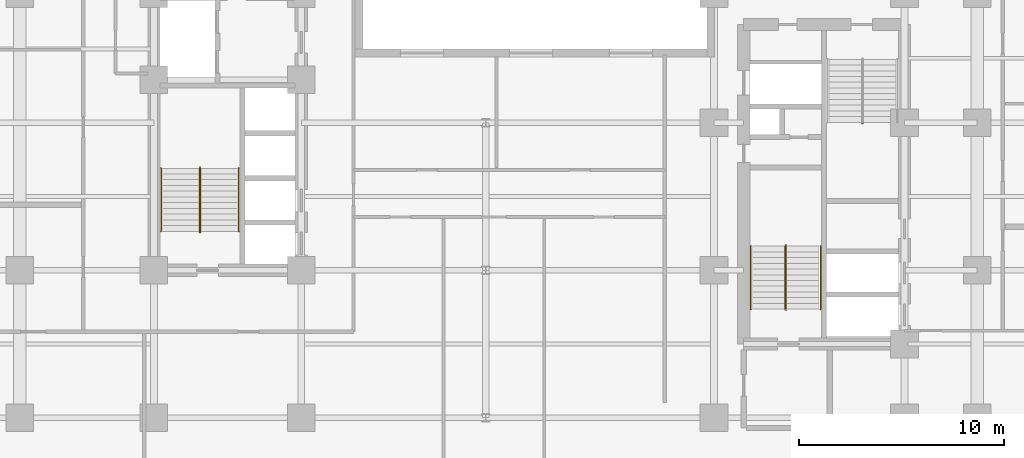
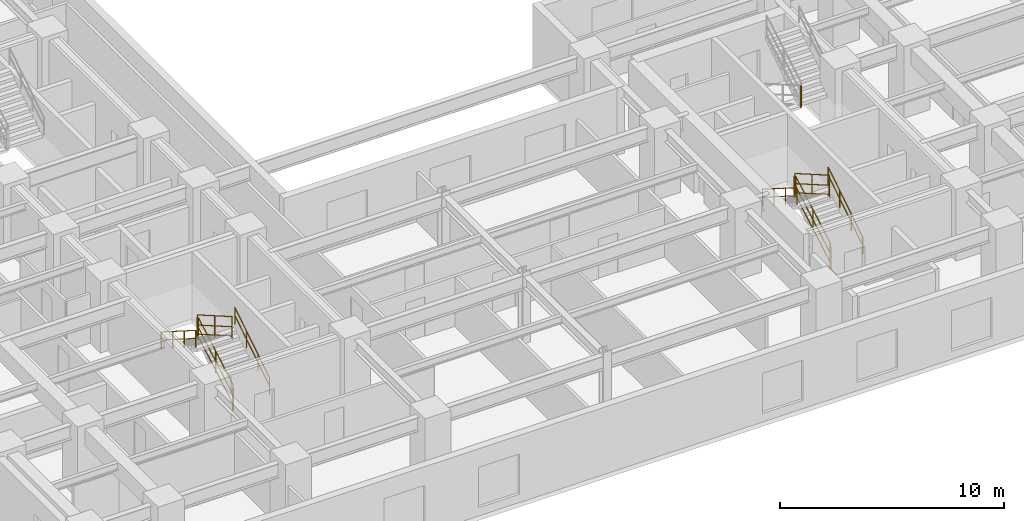
# One storey, part 7 of 9: 13 railings.
"""IFC4 building model written with IfcOpenShell, lengths in metres."""

from ifc_helpers import new_model, entity, si_unit, converted_unit, direction, frame, origin_with_axes, origin_2d_with_axis, place, context, subcontext, project, spatial, rectangle, circle, extrude, material, type_object, element, save


model = new_model("IFC4")

# Units and contexts
model_context = context("Model", 3, precision=1e-05, world=origin_with_axes(), true_north=direction((0.0, 1.0)))
body_context = subcontext(model_context, "Body", "Model", "MODEL_VIEW")
ifc_project = project(units=[si_unit("LENGTHUNIT", "METRE"), si_unit("AREAUNIT", "SQUARE_METRE"), si_unit("VOLUMEUNIT", "CUBIC_METRE"), converted_unit("PLANEANGLEUNIT", "DEGREE", entity("IfcPlaneAngleMeasure", 0.017453292519943295), si_unit("PLANEANGLEUNIT", "RADIAN"), dimensions=[0, 0, 0, 0, 0, 0, 0]), si_unit("MASSUNIT", "GRAM", prefix="KILO"), si_unit("THERMODYNAMICTEMPERATUREUNIT", "KELVIN")], contexts=[model_context])

# Site, building, storey
site_placement = place(None, origin_with_axes())
site = spatial("IfcSite", under=ifc_project, at=site_placement, CompositionType="ELEMENT")
building_placement = place(site_placement, origin_with_axes())
building = spatial("IfcBuilding", under=site, at=building_placement, Name="Varnlund Millrace Tower", CompositionType="ELEMENT")
storey_placement = place(building_placement, frame((0.0, 0.0, 56.1), z_axis=(0.0, 0.0, 1.0), x_axis=(1.0, 0.0, 0.0)))
storey = spatial("IfcBuildingStorey", under=building, at=storey_placement, Name="L13", CompositionType="ELEMENT", Elevation=56.1)

# Railings
ifc_material_1 = material(Name="Painted steel stair well balustrade guard", Category="steel")
railing_type_1 = type_object("IfcRailingType", Name="Type-StairGuard-1150", PredefinedType="GUARDRAIL", material=ifc_material_1)
railing_1_placement = place(storey_placement, frame((0.0, 0.0, -56.1), z_axis=(0.0, 0.0, 1.0), x_axis=(1.0, 0.0, 0.0)))
element("IfcRailing", 1, at=railing_1_placement, inside=storey, type_object=railing_type_1, Name="Type-StairGuard-1150", PredefinedType="GUARDRAIL", context=body_context, shape_type="SweptSolid", body=[
    extrude(circle(Radius=0.024, at=origin_2d_with_axis()), frame((13.675, 12.7, 57.427273), z_axis=(0.0, 0.866696, 0.498836), x_axis=(-1.0, 0.0, 0.0)), (0.0, 0.0, 1.0), 3.553725),
    extrude(circle(Radius=0.024, at=origin_2d_with_axis()), frame((13.675, 12.7, 56.377273), z_axis=(0.0, 0.866696, 0.498836), x_axis=(-1.0, 0.0, 0.0)), (0.0, 0.0, 1.0), 3.553725),
    extrude(circle(Radius=0.024, at=origin_2d_with_axis()), frame((13.675, 12.7, 56.875273), z_axis=(0.0, 0.866696, 0.498836), x_axis=(-1.0, 0.0, 0.0)), (0.0, 0.0, 1.0), 3.553725),
    extrude(rectangle(XDim=0.04, YDim=0.04, at=origin_2d_with_axis()), frame((13.675, 12.7, 56.237273), z_axis=(0.0, 0.0, 1.0), x_axis=(1.0, 0.0, 0.0)), (0.0, 0.0, 1.0), 1.19),
    extrude(rectangle(XDim=0.04, YDim=0.04, at=origin_2d_with_axis()), frame((13.675, 14.24, 57.123636), z_axis=(0.0, 0.0, 1.0), x_axis=(1.0, 0.0, 0.0)), (0.0, 0.0, 1.0), 1.19),
    extrude(rectangle(XDim=0.04, YDim=0.04, at=origin_2d_with_axis()), frame((13.675, 15.78, 58.01), z_axis=(0.0, 0.0, 1.0), x_axis=(1.0, 0.0, 0.0)), (0.0, 0.0, 1.0), 1.19),
])
railing_2_placement = place(storey_placement, frame((0.0, 0.0, -56.1), z_axis=(0.0, 0.0, 1.0), x_axis=(1.0, 0.0, 0.0)))
element("IfcRailing", 2, at=railing_2_placement, inside=storey, type_object=railing_type_1, Name="Type-StairGuard-1150", PredefinedType="GUARDRAIL", context=body_context, shape_type="SweptSolid", body=[
    extrude(circle(Radius=0.024, at=origin_2d_with_axis()), frame((13.625, 15.83, 59.2), z_axis=(1.0, 0.0, 0.0), x_axis=(0.0, 1.0, 0.0)), (0.0, 0.0, 1.0), 0.05),
    extrude(circle(Radius=0.024, at=origin_2d_with_axis()), frame((13.625, 15.83, 58.15), z_axis=(1.0, 0.0, 0.0), x_axis=(0.0, 1.0, 0.0)), (0.0, 0.0, 1.0), 0.05),
    extrude(circle(Radius=0.024, at=origin_2d_with_axis()), frame((13.625, 15.83, 58.648), z_axis=(1.0, 0.0, 0.0), x_axis=(0.0, 1.0, 0.0)), (0.0, 0.0, 1.0), 0.05),
    extrude(rectangle(XDim=0.04, YDim=0.04, at=origin_2d_with_axis()), frame((13.625, 15.83, 58.01), z_axis=(0.0, 0.0, 1.0), x_axis=(1.0, 0.0, 0.0)), (0.0, 0.0, 1.0), 1.19),
    extrude(rectangle(XDim=0.04, YDim=0.04, at=origin_2d_with_axis()), frame((13.675, 15.83, 58.01), z_axis=(0.0, 0.0, 1.0), x_axis=(1.0, 0.0, 0.0)), (0.0, 0.0, 1.0), 1.19),
])
railing_3_placement = place(storey_placement, frame((0.0, 0.0, -56.1), z_axis=(0.0, 0.0, 1.0), x_axis=(1.0, 0.0, 0.0)))
element("IfcRailing", 3, at=railing_3_placement, inside=storey, type_object=railing_type_1, Name="Type-StairGuard-1150", PredefinedType="GUARDRAIL", context=body_context, shape_type="SweptSolid", body=[
    extrude(circle(Radius=0.024, at=origin_2d_with_axis()), frame((13.625, 15.78, 59.377273), z_axis=(0.0, -0.866696, 0.498836), x_axis=(1.0, 0.0, 0.0)), (0.0, 0.0, 1.0), 3.553725),
    extrude(circle(Radius=0.024, at=origin_2d_with_axis()), frame((13.625, 15.78, 58.327273), z_axis=(0.0, -0.866696, 0.498836), x_axis=(1.0, 0.0, 0.0)), (0.0, 0.0, 1.0), 3.553725),
    extrude(circle(Radius=0.024, at=origin_2d_with_axis()), frame((13.625, 15.78, 58.825273), z_axis=(0.0, -0.866696, 0.498836), x_axis=(1.0, 0.0, 0.0)), (0.0, 0.0, 1.0), 3.553725),
    extrude(rectangle(XDim=0.04, YDim=0.04, at=origin_2d_with_axis()), frame((13.625, 15.78, 58.187273), z_axis=(0.0, 0.0, 1.0), x_axis=(1.0, 0.0, 0.0)), (0.0, 0.0, 1.0), 1.19),
    extrude(rectangle(XDim=0.04, YDim=0.04, at=origin_2d_with_axis()), frame((13.625, 14.24, 59.073636), z_axis=(0.0, 0.0, 1.0), x_axis=(1.0, 0.0, 0.0)), (0.0, 0.0, 1.0), 1.19),
    extrude(rectangle(XDim=0.04, YDim=0.04, at=origin_2d_with_axis()), frame((13.625, 12.7, 59.96), z_axis=(0.0, 0.0, 1.0), x_axis=(1.0, 0.0, 0.0)), (0.0, 0.0, 1.0), 1.19),
])
railing_4_placement = place(storey_placement, frame((0.0, 0.0, -56.1), z_axis=(0.0, 0.0, 1.0), x_axis=(1.0, 0.0, 0.0)))
element("IfcRailing", 4, at=railing_4_placement, inside=storey, type_object=railing_type_1, Name="Type-StairGuard-1150", PredefinedType="GUARDRAIL", context=body_context, shape_type="SweptSolid", body=[
    extrude(circle(Radius=0.024, at=origin_2d_with_axis()), frame((13.625, 12.65, 57.25), z_axis=(1.0, 0.0, 0.0), x_axis=(0.0, 1.0, 0.0)), (0.0, 0.0, 1.0), 0.05),
    extrude(circle(Radius=0.024, at=origin_2d_with_axis()), frame((13.625, 12.65, 56.2), z_axis=(1.0, 0.0, 0.0), x_axis=(0.0, 1.0, 0.0)), (0.0, 0.0, 1.0), 0.05),
    extrude(circle(Radius=0.024, at=origin_2d_with_axis()), frame((13.625, 12.65, 56.698), z_axis=(1.0, 0.0, 0.0), x_axis=(0.0, 1.0, 0.0)), (0.0, 0.0, 1.0), 0.05),
    extrude(rectangle(XDim=0.04, YDim=0.04, at=origin_2d_with_axis()), frame((13.625, 12.65, 56.06), z_axis=(0.0, 0.0, 1.0), x_axis=(1.0, 0.0, 0.0)), (0.0, 0.0, 1.0), 1.19),
    extrude(rectangle(XDim=0.04, YDim=0.04, at=origin_2d_with_axis()), frame((13.675, 12.65, 56.06), z_axis=(0.0, 0.0, 1.0), x_axis=(1.0, 0.0, 0.0)), (0.0, 0.0, 1.0), 1.19),
])
railing_5_placement = place(storey_placement, frame((0.0, 0.0, -56.1), z_axis=(0.0, 0.0, 1.0), x_axis=(1.0, 0.0, 0.0)))
element("IfcRailing", 5, at=railing_5_placement, inside=storey, type_object=railing_type_1, Name="Type-StairGuard-1150", PredefinedType="GUARDRAIL", context=body_context, shape_type="SweptSolid", body=[
    extrude(circle(Radius=0.024, at=origin_2d_with_axis()), frame((42.275, 8.9, 57.427273), z_axis=(0.0, 0.866696, 0.498836), x_axis=(-1.0, 0.0, 0.0)), (0.0, 0.0, 1.0), 3.553725),
    extrude(circle(Radius=0.024, at=origin_2d_with_axis()), frame((42.275, 8.9, 56.377273), z_axis=(0.0, 0.866696, 0.498836), x_axis=(-1.0, 0.0, 0.0)), (0.0, 0.0, 1.0), 3.553725),
    extrude(circle(Radius=0.024, at=origin_2d_with_axis()), frame((42.275, 8.9, 56.875273), z_axis=(0.0, 0.866696, 0.498836), x_axis=(-1.0, 0.0, 0.0)), (0.0, 0.0, 1.0), 3.553725),
    extrude(rectangle(XDim=0.04, YDim=0.04, at=origin_2d_with_axis()), frame((42.275, 8.9, 56.237273), z_axis=(0.0, 0.0, 1.0), x_axis=(1.0, 0.0, 0.0)), (0.0, 0.0, 1.0), 1.19),
    extrude(rectangle(XDim=0.04, YDim=0.04, at=origin_2d_with_axis()), frame((42.275, 10.44, 57.123636), z_axis=(0.0, 0.0, 1.0), x_axis=(1.0, 0.0, 0.0)), (0.0, 0.0, 1.0), 1.19),
    extrude(rectangle(XDim=0.04, YDim=0.04, at=origin_2d_with_axis()), frame((42.275, 11.98, 58.01), z_axis=(0.0, 0.0, 1.0), x_axis=(1.0, 0.0, 0.0)), (0.0, 0.0, 1.0), 1.19),
])
railing_6_placement = place(storey_placement, frame((0.0, 0.0, -56.1), z_axis=(0.0, 0.0, 1.0), x_axis=(1.0, 0.0, 0.0)))
element("IfcRailing", 6, at=railing_6_placement, inside=storey, type_object=railing_type_1, Name="Type-StairGuard-1150", PredefinedType="GUARDRAIL", context=body_context, shape_type="SweptSolid", body=[
    extrude(circle(Radius=0.024, at=origin_2d_with_axis()), frame((42.225, 12.03, 59.2), z_axis=(1.0, 0.0, 0.0), x_axis=(0.0, 1.0, 0.0)), (0.0, 0.0, 1.0), 0.05),
    extrude(circle(Radius=0.024, at=origin_2d_with_axis()), frame((42.225, 12.03, 58.15), z_axis=(1.0, 0.0, 0.0), x_axis=(0.0, 1.0, 0.0)), (0.0, 0.0, 1.0), 0.05),
    extrude(circle(Radius=0.024, at=origin_2d_with_axis()), frame((42.225, 12.03, 58.648), z_axis=(1.0, 0.0, 0.0), x_axis=(0.0, 1.0, 0.0)), (0.0, 0.0, 1.0), 0.05),
    extrude(rectangle(XDim=0.04, YDim=0.04, at=origin_2d_with_axis()), frame((42.225, 12.03, 58.01), z_axis=(0.0, 0.0, 1.0), x_axis=(1.0, 0.0, 0.0)), (0.0, 0.0, 1.0), 1.19),
    extrude(rectangle(XDim=0.04, YDim=0.04, at=origin_2d_with_axis()), frame((42.275, 12.03, 58.01), z_axis=(0.0, 0.0, 1.0), x_axis=(1.0, 0.0, 0.0)), (0.0, 0.0, 1.0), 1.19),
])
railing_7_placement = place(storey_placement, frame((0.0, 0.0, -56.1), z_axis=(0.0, 0.0, 1.0), x_axis=(1.0, 0.0, 0.0)))
element("IfcRailing", 7, at=railing_7_placement, inside=storey, type_object=railing_type_1, Name="Type-StairGuard-1150", PredefinedType="GUARDRAIL", context=body_context, shape_type="SweptSolid", body=[
    extrude(circle(Radius=0.024, at=origin_2d_with_axis()), frame((42.225, 11.98, 59.377273), z_axis=(0.0, -0.866696, 0.498836), x_axis=(1.0, 0.0, 0.0)), (0.0, 0.0, 1.0), 3.553725),
    extrude(circle(Radius=0.024, at=origin_2d_with_axis()), frame((42.225, 11.98, 58.327273), z_axis=(0.0, -0.866696, 0.498836), x_axis=(1.0, 0.0, 0.0)), (0.0, 0.0, 1.0), 3.553725),
    extrude(circle(Radius=0.024, at=origin_2d_with_axis()), frame((42.225, 11.98, 58.825273), z_axis=(0.0, -0.866696, 0.498836), x_axis=(1.0, 0.0, 0.0)), (0.0, 0.0, 1.0), 3.553725),
    extrude(rectangle(XDim=0.04, YDim=0.04, at=origin_2d_with_axis()), frame((42.225, 11.98, 58.187273), z_axis=(0.0, 0.0, 1.0), x_axis=(1.0, 0.0, 0.0)), (0.0, 0.0, 1.0), 1.19),
    extrude(rectangle(XDim=0.04, YDim=0.04, at=origin_2d_with_axis()), frame((42.225, 10.44, 59.073636), z_axis=(0.0, 0.0, 1.0), x_axis=(1.0, 0.0, 0.0)), (0.0, 0.0, 1.0), 1.19),
    extrude(rectangle(XDim=0.04, YDim=0.04, at=origin_2d_with_axis()), frame((42.225, 8.9, 59.96), z_axis=(0.0, 0.0, 1.0), x_axis=(1.0, 0.0, 0.0)), (0.0, 0.0, 1.0), 1.19),
])
railing_8_placement = place(storey_placement, frame((0.0, 0.0, -56.1), z_axis=(0.0, 0.0, 1.0), x_axis=(1.0, 0.0, 0.0)))
element("IfcRailing", 8, at=railing_8_placement, inside=storey, type_object=railing_type_1, Name="Type-StairGuard-1150", PredefinedType="GUARDRAIL", context=body_context, shape_type="SweptSolid", body=[
    extrude(circle(Radius=0.024, at=origin_2d_with_axis()), frame((42.225, 8.85, 57.25), z_axis=(1.0, 0.0, 0.0), x_axis=(0.0, 1.0, 0.0)), (0.0, 0.0, 1.0), 0.05),
    extrude(circle(Radius=0.024, at=origin_2d_with_axis()), frame((42.225, 8.85, 56.2), z_axis=(1.0, 0.0, 0.0), x_axis=(0.0, 1.0, 0.0)), (0.0, 0.0, 1.0), 0.05),
    extrude(circle(Radius=0.024, at=origin_2d_with_axis()), frame((42.225, 8.85, 56.698), z_axis=(1.0, 0.0, 0.0), x_axis=(0.0, 1.0, 0.0)), (0.0, 0.0, 1.0), 0.05),
    extrude(rectangle(XDim=0.04, YDim=0.04, at=origin_2d_with_axis()), frame((42.225, 8.85, 56.06), z_axis=(0.0, 0.0, 1.0), x_axis=(1.0, 0.0, 0.0)), (0.0, 0.0, 1.0), 1.19),
    extrude(rectangle(XDim=0.04, YDim=0.04, at=origin_2d_with_axis()), frame((42.275, 8.85, 56.06), z_axis=(0.0, 0.0, 1.0), x_axis=(1.0, 0.0, 0.0)), (0.0, 0.0, 1.0), 1.19),
])
railing_9_placement = place(storey_placement, frame((0.0, 0.0, -56.1), z_axis=(0.0, 0.0, 1.0), x_axis=(1.0, 0.0, 0.0)))
element("IfcRailing", 9, at=railing_9_placement, inside=storey, type_object=railing_type_1, Name="Type-StairGuard-1150", PredefinedType="GUARDRAIL", context=body_context, shape_type="SweptSolid", body=[
    extrude(circle(Radius=0.024, at=origin_2d_with_axis()), frame((46.025, 17.97, 59.2), z_axis=(-1.0, 0.0, 0.0), x_axis=(0.0, -1.0, 0.0)), (0.0, 0.0, 1.0), 0.05),
    extrude(circle(Radius=0.024, at=origin_2d_with_axis()), frame((46.025, 17.97, 58.15), z_axis=(-1.0, 0.0, 0.0), x_axis=(0.0, -1.0, 0.0)), (0.0, 0.0, 1.0), 0.05),
    extrude(circle(Radius=0.024, at=origin_2d_with_axis()), frame((46.025, 17.97, 58.648), z_axis=(-1.0, 0.0, 0.0), x_axis=(0.0, -1.0, 0.0)), (0.0, 0.0, 1.0), 0.05),
    extrude(rectangle(XDim=0.04, YDim=0.04, at=origin_2d_with_axis()), frame((46.025, 17.97, 58.01), z_axis=(0.0, 0.0, 1.0), x_axis=(1.0, 0.0, 0.0)), (0.0, 0.0, 1.0), 1.19),
    extrude(rectangle(XDim=0.04, YDim=0.04, at=origin_2d_with_axis()), frame((45.975, 17.97, 58.01), z_axis=(0.0, 0.0, 1.0), x_axis=(1.0, 0.0, 0.0)), (0.0, 0.0, 1.0), 1.19),
])
ifc_material_2 = material(Name="Brushed architectural bronze stair handrail", Category="aluminium")
railing_type_2 = type_object("IfcRailingType", Name="Type-StairHandrail-900", PredefinedType="HANDRAIL", material=ifc_material_2)
railing_10_placement = place(storey_placement, frame((0.0, 0.0, -56.1), z_axis=(0.0, 0.0, 1.0), x_axis=(1.0, 0.0, 0.0)))
element("IfcRailing", 10, at=railing_10_placement, inside=storey, type_object=railing_type_2, Name="Type-StairHandrail-900", PredefinedType="HANDRAIL", context=body_context, shape_type="SweptSolid", body=[
    extrude(circle(Radius=0.024, at=origin_2d_with_axis()), frame((15.55, 12.7, 57.156995), z_axis=(0.0, 0.844902, 0.534922), x_axis=(-1.0, 0.0, 0.0)), (0.0, 0.0, 1.0), 3.645394),
    extrude(circle(Radius=0.024, at=origin_2d_with_axis()), frame((15.55, 12.7, 56.717134), z_axis=(0.0, 0.844902, 0.534922), x_axis=(-1.0, 0.0, 0.0)), (0.0, 0.0, 1.0), 3.645394),
    extrude(rectangle(XDim=0.04, YDim=0.04, at=origin_2d_with_axis()), frame((15.55, 12.7, 56.237273), z_axis=(0.0, 0.0, 1.0), x_axis=(1.0, 0.0, 0.0)), (0.0, 0.0, 1.0), 0.919722),
    extrude(rectangle(XDim=0.04, YDim=0.04, at=origin_2d_with_axis()), frame((15.55, 13.726667, 56.887273), z_axis=(0.0, 0.0, 1.0), x_axis=(1.0, 0.0, 0.0)), (0.0, 0.0, 1.0), 0.919722),
    extrude(rectangle(XDim=0.04, YDim=0.04, at=origin_2d_with_axis()), frame((15.55, 14.753333, 57.537273), z_axis=(0.0, 0.0, 1.0), x_axis=(1.0, 0.0, 0.0)), (0.0, 0.0, 1.0), 0.919722),
    extrude(rectangle(XDim=0.04, YDim=0.04, at=origin_2d_with_axis()), frame((15.55, 15.78, 58.187273), z_axis=(0.0, 0.0, 1.0), x_axis=(1.0, 0.0, 0.0)), (0.0, 0.0, 1.0), 0.919722),
])
railing_11_placement = place(storey_placement, frame((0.0, 0.0, -56.1), z_axis=(0.0, 0.0, 1.0), x_axis=(1.0, 0.0, 0.0)))
element("IfcRailing", 11, at=railing_11_placement, inside=storey, type_object=railing_type_2, Name="Type-StairHandrail-900", PredefinedType="HANDRAIL", context=body_context, shape_type="SweptSolid", body=[
    extrude(circle(Radius=0.024, at=origin_2d_with_axis()), frame((11.75, 15.78, 59.106995), z_axis=(0.0, -0.844902, 0.534922), x_axis=(1.0, 0.0, 0.0)), (0.0, 0.0, 1.0), 3.645394),
    extrude(circle(Radius=0.024, at=origin_2d_with_axis()), frame((11.75, 15.78, 58.667134), z_axis=(0.0, -0.844902, 0.534922), x_axis=(1.0, 0.0, 0.0)), (0.0, 0.0, 1.0), 3.645394),
    extrude(rectangle(XDim=0.04, YDim=0.04, at=origin_2d_with_axis()), frame((11.75, 15.78, 58.187273), z_axis=(0.0, 0.0, 1.0), x_axis=(1.0, 0.0, 0.0)), (0.0, 0.0, 1.0), 0.919722),
    extrude(rectangle(XDim=0.04, YDim=0.04, at=origin_2d_with_axis()), frame((11.75, 14.753333, 58.837273), z_axis=(0.0, 0.0, 1.0), x_axis=(1.0, 0.0, 0.0)), (0.0, 0.0, 1.0), 0.919722),
    extrude(rectangle(XDim=0.04, YDim=0.04, at=origin_2d_with_axis()), frame((11.75, 13.726667, 59.487273), z_axis=(0.0, 0.0, 1.0), x_axis=(1.0, 0.0, 0.0)), (0.0, 0.0, 1.0), 0.919722),
    extrude(rectangle(XDim=0.04, YDim=0.04, at=origin_2d_with_axis()), frame((11.75, 12.7, 60.137273), z_axis=(0.0, 0.0, 1.0), x_axis=(1.0, 0.0, 0.0)), (0.0, 0.0, 1.0), 0.919722),
])
railing_12_placement = place(storey_placement, frame((0.0, 0.0, -56.1), z_axis=(0.0, 0.0, 1.0), x_axis=(1.0, 0.0, 0.0)))
element("IfcRailing", 12, at=railing_12_placement, inside=storey, type_object=railing_type_2, Name="Type-StairHandrail-900", PredefinedType="HANDRAIL", context=body_context, shape_type="SweptSolid", body=[
    extrude(circle(Radius=0.024, at=origin_2d_with_axis()), frame((43.95, 8.9, 57.156995), z_axis=(0.0, 0.844902, 0.534922), x_axis=(-1.0, 0.0, 0.0)), (0.0, 0.0, 1.0), 3.645394),
    extrude(circle(Radius=0.024, at=origin_2d_with_axis()), frame((43.95, 8.9, 56.717134), z_axis=(0.0, 0.844902, 0.534922), x_axis=(-1.0, 0.0, 0.0)), (0.0, 0.0, 1.0), 3.645394),
    extrude(rectangle(XDim=0.04, YDim=0.04, at=origin_2d_with_axis()), frame((43.95, 8.9, 56.237273), z_axis=(0.0, 0.0, 1.0), x_axis=(1.0, 0.0, 0.0)), (0.0, 0.0, 1.0), 0.919722),
    extrude(rectangle(XDim=0.04, YDim=0.04, at=origin_2d_with_axis()), frame((43.95, 9.926667, 56.887273), z_axis=(0.0, 0.0, 1.0), x_axis=(1.0, 0.0, 0.0)), (0.0, 0.0, 1.0), 0.919722),
    extrude(rectangle(XDim=0.04, YDim=0.04, at=origin_2d_with_axis()), frame((43.95, 10.953333, 57.537273), z_axis=(0.0, 0.0, 1.0), x_axis=(1.0, 0.0, 0.0)), (0.0, 0.0, 1.0), 0.919722),
    extrude(rectangle(XDim=0.04, YDim=0.04, at=origin_2d_with_axis()), frame((43.95, 11.98, 58.187273), z_axis=(0.0, 0.0, 1.0), x_axis=(1.0, 0.0, 0.0)), (0.0, 0.0, 1.0), 0.919722),
])
railing_13_placement = place(storey_placement, frame((0.0, 0.0, -56.1), z_axis=(0.0, 0.0, 1.0), x_axis=(1.0, 0.0, 0.0)))
element("IfcRailing", 13, at=railing_13_placement, inside=storey, type_object=railing_type_2, Name="Type-StairHandrail-900", PredefinedType="HANDRAIL", context=body_context, shape_type="SweptSolid", body=[
    extrude(circle(Radius=0.024, at=origin_2d_with_axis()), frame((40.55, 11.98, 59.106995), z_axis=(0.0, -0.844902, 0.534922), x_axis=(1.0, 0.0, 0.0)), (0.0, 0.0, 1.0), 3.645394),
    extrude(circle(Radius=0.024, at=origin_2d_with_axis()), frame((40.55, 11.98, 58.667134), z_axis=(0.0, -0.844902, 0.534922), x_axis=(1.0, 0.0, 0.0)), (0.0, 0.0, 1.0), 3.645394),
    extrude(rectangle(XDim=0.04, YDim=0.04, at=origin_2d_with_axis()), frame((40.55, 11.98, 58.187273), z_axis=(0.0, 0.0, 1.0), x_axis=(1.0, 0.0, 0.0)), (0.0, 0.0, 1.0), 0.919722),
    extrude(rectangle(XDim=0.04, YDim=0.04, at=origin_2d_with_axis()), frame((40.55, 10.953333, 58.837273), z_axis=(0.0, 0.0, 1.0), x_axis=(1.0, 0.0, 0.0)), (0.0, 0.0, 1.0), 0.919722),
    extrude(rectangle(XDim=0.04, YDim=0.04, at=origin_2d_with_axis()), frame((40.55, 9.926667, 59.487273), z_axis=(0.0, 0.0, 1.0), x_axis=(1.0, 0.0, 0.0)), (0.0, 0.0, 1.0), 0.919722),
    extrude(rectangle(XDim=0.04, YDim=0.04, at=origin_2d_with_axis()), frame((40.55, 8.9, 60.137273), z_axis=(0.0, 0.0, 1.0), x_axis=(1.0, 0.0, 0.0)), (0.0, 0.0, 1.0), 0.919722),
])

save(model, "model.ifc")
